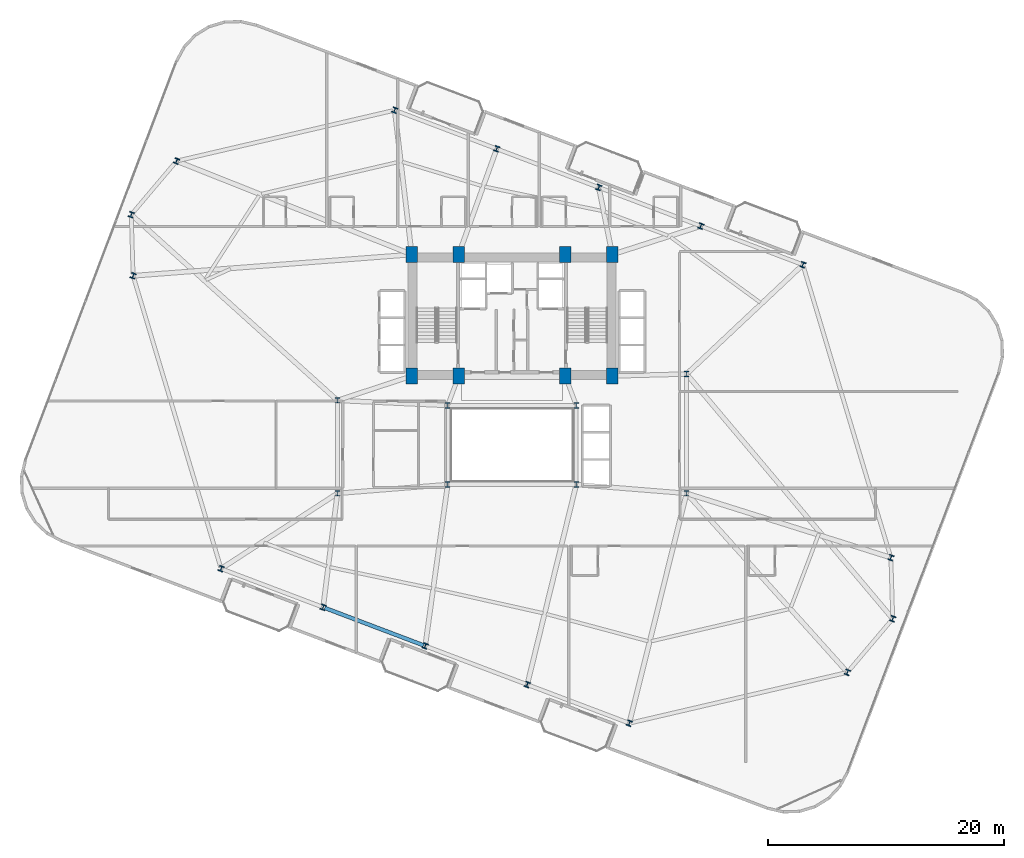
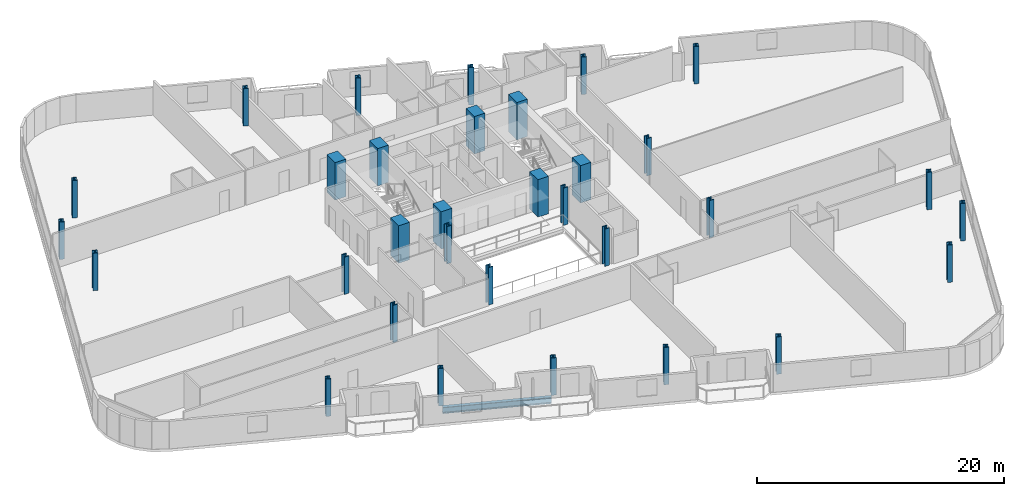
# One storey, part 1 of 25: 32 columns, 1 beam.
"""IFC4 building model written with IfcOpenShell, lengths in metres."""

from ifc_helpers import new_model, si_unit, direction, frame, origin, origin_2d, place, context, subcontext, project, spatial, rectangle, i_section, extrude, material, material_profile, profile_set, type_object, element, save


model = new_model("IFC4")

# Units and contexts
model_context = context("Model", 3, precision=1e-05, world=origin(), true_north=direction((0.0, 1.0)))
body_context = subcontext(model_context, "Body", "Model", "MODEL_VIEW")
ifc_project = project(units=[si_unit("LENGTHUNIT", "METRE"), si_unit("AREAUNIT", "SQUARE_METRE"), si_unit("VOLUMEUNIT", "CUBIC_METRE"), si_unit("PLANEANGLEUNIT", "RADIAN"), si_unit("MASSUNIT", "GRAM", prefix="KILO")], contexts=[model_context])

# Site, building, storey
site_placement = place(None, origin())
site = spatial("IfcSite", under=ifc_project, at=site_placement, CompositionType="ELEMENT")
building_placement = place(site_placement, origin())
building = spatial("IfcBuilding", under=site, at=building_placement, Name="Varnelok Gate Tower", CompositionType="ELEMENT")
storey_placement = place(building_placement, frame((0.0, 0.0, 91.0)))
storey = spatial("IfcBuildingStorey", under=building, at=storey_placement, Name="L22", CompositionType="ELEMENT", Elevation=91.0)

# Columns
ifc_material_1 = material(Name="Concrete C70/85", Category="concrete")
ifc_material_profile_1 = material_profile(ifc_material_1, rectangle(XDim=1.0, YDim=1.35009765625, at=origin_2d()), Name="RC1350X1000")
ifc_profile_set_1 = profile_set([ifc_material_profile_1], Name="Concrete C70/85")
column_type_1 = type_object("IfcColumnType", Name="COL-RC1350X1000", PredefinedType="COLUMN", material=ifc_profile_set_1)
for number, where, z_axis, x_axis, name in (
    (1, (30.699951171875, 28.75, 0.0), (0.0, 0.0, 1.0), (1.0, 0.0, 0.0), "L22 Core Spine Column SC1"),
    (2, (34.679931640625, 28.75, 0.0), (0.0, 0.0, 1.0), (1.0, 0.0, 0.0), "L22 Core Spine Column SC2"),
    (3, (43.719970703125, 28.75, 0.0), (0.0, 0.0, 1.0), (1.0, 0.0, 0.0), "L22 Core Spine Column SC3"),
    (4, (47.699951171875, 28.75, 0.0), (0.0, 0.0, 1.0), (1.0, 0.0, 0.0), "L22 Core Spine Column SC4"),
    (5, (30.699951171875, 39.050048828125, 0.0), (0.0, 0.0, 1.0), (1.0, 0.0, 0.0), "L22 Core Spine Column SC5"),
    (6, (34.679931640625, 39.050048828125, 0.0), (0.0, 0.0, 1.0), (1.0, 0.0, 0.0), "L22 Core Spine Column SC6"),
    (7, (43.719970703125, 39.050048828125, 0.0), (0.0, 0.0, 1.0), (1.0, 0.0, 0.0), "L22 Core Spine Column SC7"),
    (8, (47.699951171875, 39.050048828125, 0.0), (0.0, 0.0, 1.0), (1.0, 0.0, 0.0), "L22 Core Spine Column SC8"),
):
    element("IfcColumn", number, at=place(storey_placement, frame(where, z_axis=z_axis, x_axis=x_axis)), inside=storey, type_object=column_type_1, Name=name, PredefinedType="COLUMN", context=body_context, shape_type="SweptSolid", body=[
        extrude(rectangle(XDim=1.0, YDim=1.35009765625, at=origin_2d()), origin(), (0.0, 0.0, 1.0), 3.699951171875),
    ])
ifc_material_2 = material(Name="Structural Steel ASTM A992 Grade 50", Category="steel")
ifc_material_profile_2 = material_profile(ifc_material_2, i_section(OverallWidth=0.424072265625, OverallDepth=0.47412109375, WebThickness=0.047607421875, FlangeThickness=0.0771484375, FilletRadius=0.02490234375, at=origin_2d()), Name="W14X426")
ifc_profile_set_2 = profile_set([ifc_material_profile_2], Name="Structural Steel ASTM A992 Grade 50")
column_type_2 = type_object("IfcColumnType", Name="COL-W14X426", PredefinedType="COLUMN", material=ifc_profile_set_2)
for number, where, z_axis, x_axis, name in (
    (9, (33.75, 19.550048828125, 0.0), (0.0, 0.0, 1.0), (1.0, 0.0, 0.0), "L22 Atrium Spine Column AC1"),
    (10, (44.64990234375, 19.550048828125, 0.0), (0.0, 0.0, 1.0), (1.0, 0.0, 0.0), "L22 Atrium Spine Column AC2"),
    (11, (33.75, 26.25, 0.0), (0.0, 0.0, 1.0), (1.0, 0.0, 0.0), "L22 Atrium Spine Column AC3"),
    (12, (44.64990234375, 26.25, 0.0), (0.0, 0.0, 1.0), (1.0, 0.0, 0.0), "L22 Atrium Spine Column AC4"),
    (13, (24.39990234375, 18.800048828125, 0.0), (0.0, 0.0, 1.0), (1.0, 0.0, 0.0), "L22 Wing Spine Column WS1"),
    (14, (24.39990234375, 26.679931640625, 0.0), (0.0, 0.0, 1.0), (1.0, 0.0, 0.0), "L22 Wing Spine Column WS2"),
    (15, (54.0, 18.800048828125, 0.0), (0.0, 0.0, 1.0), (1.0, 0.0, 0.0), "L22 Wing Spine Column ES1"),
    (16, (54.0, 28.919921875, 0.0), (0.0, 0.0, 1.0), (1.0, 0.0, 0.0), "L22 Wing Spine Column ES2"),
    (17, (14.541015625, 12.416259765625, 0.0), (0.0, 0.0, 1.0), (0.935221751401, -0.354062530786, 0.0), "L22 B2 Perimeter Column PC01"),
    (18, (23.19189453125, 9.14111328125, 0.0), (0.0, 0.0, 1.0), (0.935221751401, -0.354062530786, 0.0), "L22 B2 Perimeter Column PC02"),
    (19, (31.842529296875, 5.8662109375, 0.0), (0.0, 0.0, 1.0), (0.935221751401, -0.354062530786, 0.0), "L22 B2 Perimeter Column PC03"),
    (20, (40.493408203125, 2.591064453125, 0.0), (0.0, 0.0, 1.0), (0.935221751401, -0.354062530786, 0.0), "L22 B2 Perimeter Column PC04"),
    (21, (49.144287109375, -0.68408203125, 0.0), (0.0, 0.0, 1.0), (0.935221751401, -0.354062530786, 0.0), "L22 B2 Perimeter Column PC05"),
    (22, (67.63671875, 3.627685546875, 0.0), (0.0, 0.0, 1.0), (0.935221751401, -0.354062530786, 0.0), "L22 B2 Perimeter Column PC06"),
    (23, (71.4765625, 8.172607421875, 0.0), (0.0, 0.0, 1.0), (0.935221751401, -0.354062530786, 0.0), "L22 B2 Perimeter Column PC07"),
    (24, (71.319091796875, 13.35400390625, 0.0), (0.0, 0.0, 1.0), (0.935221751401, -0.354062530786, 0.0), "L22 B2 Perimeter Column PC08"),
    (25, (63.85888671875, 38.183837890625, 0.0), (0.0, 0.0, 1.0), (0.935221751401, -0.354062530786, 0.0), "L22 B2 Perimeter Column PC09"),
    (26, (55.208251953125, 41.458740234375, 0.0), (0.0, 0.0, 1.0), (0.935221751401, -0.354062530786, 0.0), "L22 B2 Perimeter Column PC10"),
    (27, (46.557373046875, 44.73388671875, 0.0), (0.0, 0.0, 1.0), (0.935221751401, -0.354062530786, 0.0), "L22 B2 Perimeter Column PC11"),
    (28, (37.906494140625, 48.009033203125, 0.0), (0.0, 0.0, 1.0), (0.935221751401, -0.354062530786, 0.0), "L22 B2 Perimeter Column PC12"),
    (29, (29.255859375, 51.2841796875, 0.0), (0.0, 0.0, 1.0), (0.935221751401, -0.354062530786, 0.0), "L22 B2 Perimeter Column PC13"),
    (30, (10.76318359375, 46.972412109375, 0.0), (0.0, 0.0, 1.0), (0.935221751401, -0.354062530786, 0.0), "L22 B2 Perimeter Column PC14"),
    (31, (6.92333984375, 42.427490234375, 0.0), (0.0, 0.0, 1.0), (0.935221751401, -0.354062530786, 0.0), "L22 B2 Perimeter Column PC15"),
    (32, (7.0810546875, 37.24609375, 0.0), (0.0, 0.0, 1.0), (0.935221751401, -0.354062530786, 0.0), "L22 B2 Perimeter Column PC16"),
):
    element("IfcColumn", number, at=place(storey_placement, frame(where, z_axis=z_axis, x_axis=x_axis)), inside=storey, type_object=column_type_2, Name=name, PredefinedType="COLUMN", context=body_context, shape_type="SweptSolid", body=[
        extrude(i_section(OverallWidth=0.424072265625, OverallDepth=0.47412109375, WebThickness=0.047607421875, FlangeThickness=0.0771484375, FilletRadius=0.02490234375, at=origin_2d()), origin(), (0.0, 0.0, 1.0), 3.699951171875),
    ])

# Beam
ifc_material_profile_3 = material_profile(ifc_material_2, i_section(OverallWidth=0.323974609375, OverallDepth=0.611083984375, WebThickness=0.0126953125, FlangeThickness=0.01904296875, FilletRadius=0.01806640625, at=origin_2d()), Name="W24X104")
ifc_profile_set_3 = profile_set([ifc_material_profile_3], Name="Structural Steel ASTM A992 Grade 50")
beam_type = type_object("IfcBeamType", Name="BM-SPN-W24X104", PredefinedType="SPANDREL", material=ifc_profile_set_3)
beam_placement = place(storey_placement, frame((23.33203125, 9.088134765625, -0.555419921875), z_axis=(0.935220356141, -0.354066216208, 0.0), x_axis=(0.354066216208, 0.935220356141, 0.0)))
element("IfcBeam", 33, at=beam_placement, inside=storey, type_object=beam_type, Name="L22 Perimeter Spandrel Beam 2", PredefinedType="SPANDREL", context=body_context, shape_type="SweptSolid", body=[
    extrude(i_section(OverallWidth=0.323974609375, OverallDepth=0.611083984375, WebThickness=0.0126953125, FlangeThickness=0.01904296875, FilletRadius=0.01806640625, at=origin_2d()), origin(), (0.0, 0.0, 1.0), 8.9501953125),
])

save(model, "model.ifc")
